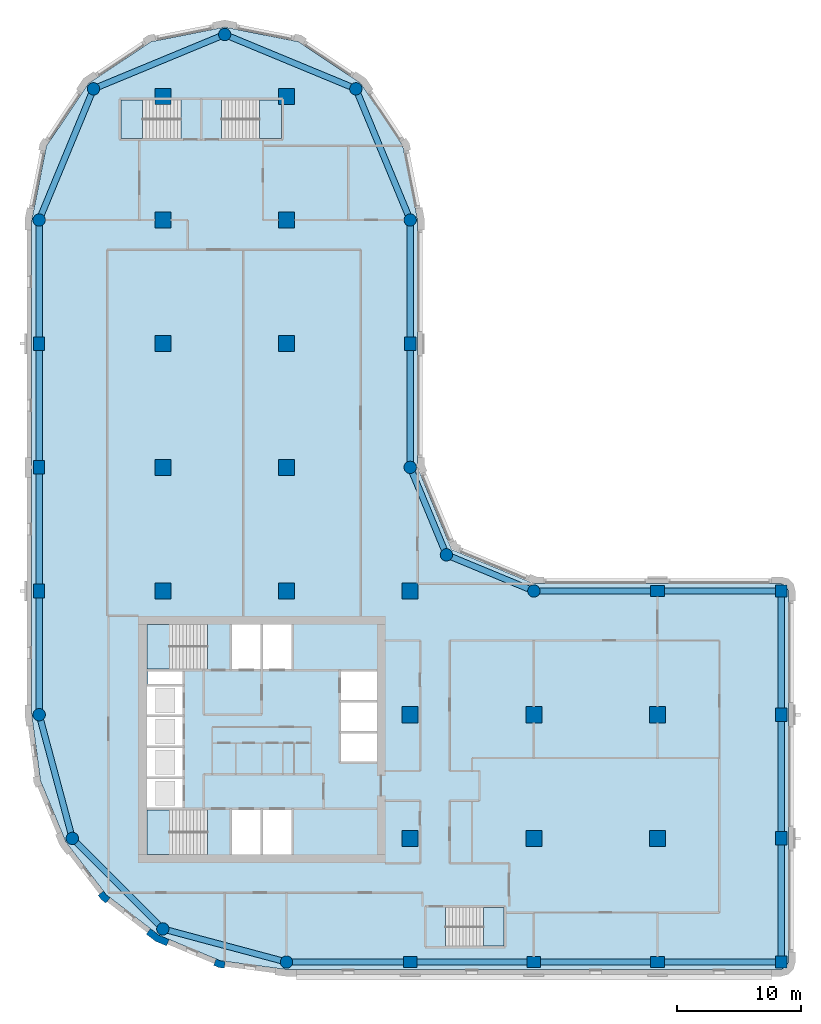
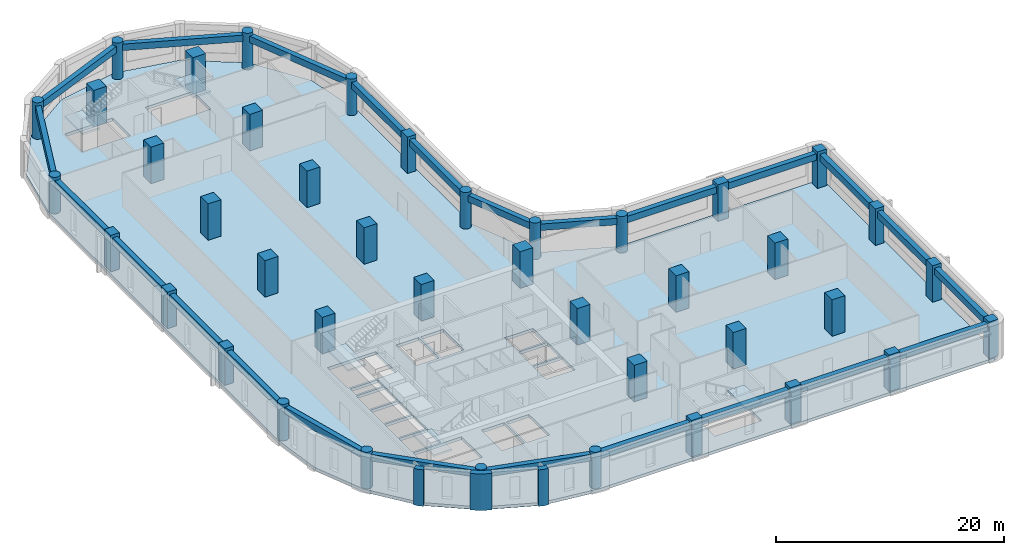
# One storey, part 1 of 9: 41 columns, 24 beams, 6 slabs, 3 walls, 5 elements without a shape of their own.
"""IFC4 building model written with IfcOpenShell, lengths in metres."""

import ifcopenshell
import ifcopenshell.guid

model = None  # the IFC model being written
_history = None  # IfcOwnerHistory: only IFC2X3 demands one
_inside = {}  # id of a spatial element -> (the spatial element, [elements in it])
_under = {}  # id of a project, library or spatial element -> (it, [spatial elements below it])
_declared = {}  # id of a project -> (the project, [libraries it declares])
_typed = {}  # id of a type object -> (the type object, [elements of that type])
_made_of = {}  # id of a material, layer set ... -> (it, [elements and type objects made of it])


def new_model(schema):
    """Start an empty IFC model of exactly this schema.

    Asked for "IFC4X3", IfcOpenShell would pick the latest addendum, in which some entities
    have other attributes; the version numbers below select the first issue.
    IFC2X3 requires an IfcOwnerHistory on every rooted entity: one is made here for all.
    """
    global model, _history
    if schema == "IFC4X3":
        model = ifcopenshell.file(schema_version=(4, 3, 0, 0))
    else:
        model = ifcopenshell.file(schema=schema)
    _inside.clear()
    _under.clear()
    _declared.clear()
    _typed.clear()
    _made_of.clear()
    _history = None
    if model.schema == "IFC2X3":
        org = make("IfcOrganization", Name="unknown")
        user = make(
            "IfcPersonAndOrganization",
            ThePerson=make("IfcPerson", FamilyName="unknown"),
            TheOrganization=org,
        )
        app = make(
            "IfcApplication",
            ApplicationDeveloper=org,
            Version="unknown",
            ApplicationFullName="unknown",
            ApplicationIdentifier="unknown",
        )
        _history = make(
            "IfcOwnerHistory",
            OwningUser=user,
            OwningApplication=app,
            ChangeAction="ADDED",
            CreationDate=0,
        )
    return model


def make(cls, **values):
    """One entity of the class cls with the attributes given. An attribute that is None is left unset."""
    return model.create_entity(
        cls, **{name: value for name, value in values.items() if value is not None}
    )


def rooted(cls, **values):
    """An entity with a GlobalId (a new one), such as an element, a storey or a relation."""
    return make(cls, GlobalId=ifcopenshell.guid.new(), OwnerHistory=_history, **values)


def si_unit(unit_type, name, prefix=None):
    """IfcSIUnit, for example si_unit("LENGTHUNIT", "METRE", prefix="MILLI")."""
    return make("IfcSIUnit", UnitType=unit_type, Prefix=prefix, Name=name)


def assignment(units):
    """IfcUnitAssignment: the units of a project."""
    return None if units is None else make("IfcUnitAssignment", Units=units)


def point(xyz):
    """IfcCartesianPoint."""
    return None if xyz is None else make("IfcCartesianPoint", Coordinates=xyz)


def direction(xyz):
    """IfcDirection."""
    return None if xyz is None else make("IfcDirection", DirectionRatios=xyz)


def frame(location, z_axis=None, x_axis=None):
    """IfcAxis2Placement3D, a coordinate frame: its origin and axes. An axis left out is left unset."""
    return make(
        "IfcAxis2Placement3D",
        Location=point(location),
        Axis=direction(z_axis),
        RefDirection=direction(x_axis),
    )


def frame_2d(location, x_axis=None):
    """IfcAxis2Placement2D, a coordinate frame in the plane: its origin and x axis."""
    return make(
        "IfcAxis2Placement2D", Location=point(location), RefDirection=direction(x_axis)
    )


def origin():
    """The frame at (0, 0, 0) with its axes left unset."""
    return frame((0.0, 0.0, 0.0))


def origin_2d():
    """The frame at (0, 0) in the plane with its x axis left unset."""
    return frame_2d((0.0, 0.0))


def place(relative_to, where):
    """IfcLocalPlacement: puts the frame where relative to a parent placement (None: the world)."""
    return make(
        "IfcLocalPlacement", PlacementRelTo=relative_to, RelativePlacement=where
    )


def context(
    kind, dimensions, precision=None, world=None, true_north=None, identifier=None
):
    """IfcGeometricRepresentationContext, for example the 3D "Model" context."""
    return make(
        "IfcGeometricRepresentationContext",
        ContextIdentifier=identifier,
        ContextType=kind,
        CoordinateSpaceDimension=dimensions,
        Precision=precision,
        WorldCoordinateSystem=world,
        TrueNorth=true_north,
    )


def subcontext(parent, identifier, kind, view, scale=None):
    """IfcGeometricRepresentationSubContext, for example "Body" below "Model"."""
    return make(
        "IfcGeometricRepresentationSubContext",
        ContextIdentifier=identifier,
        ContextType=kind,
        ParentContext=parent,
        TargetScale=scale,
        TargetView=view,
    )


def project(units=None, contexts=None):
    """IfcProject with its units and contexts."""
    return rooted(
        "IfcProject",
        Name="project",
        RepresentationContexts=contexts,
        UnitsInContext=assignment(units),
    )


def spatial(cls, under=None, at=None, **own):
    """A site, building, storey or space (cls), placed at a placement, below another one or the project."""
    s = rooted(cls, ObjectPlacement=at, **own)
    if under is not None:
        _under.setdefault(under.id(), (under, []))[1].append(s)
    return s


def polyline(points):
    """IfcPolyline through the points."""
    return make("IfcPolyline", Points=[point(p) for p in points])


def profile(cls, at=None, kind="AREA", **sizes):
    """A parametric profile (cls). Its sizes go by their IFC names, for example OverallWidth=200.0."""
    return make(cls, ProfileType=kind, Position=at, **sizes)


def rectangle(**sizes):
    """IfcRectangleProfileDef."""
    return profile("IfcRectangleProfileDef", **sizes)


def circle(**sizes):
    """IfcCircleProfileDef."""
    return profile("IfcCircleProfileDef", **sizes)


def outline(outer, holes=None, kind="AREA"):
    """IfcArbitraryClosedProfileDef: a profile drawn as a closed curve; with holes, ...WithVoids."""
    if holes is None:
        return make("IfcArbitraryClosedProfileDef", ProfileType=kind, OuterCurve=outer)
    return make(
        "IfcArbitraryProfileDefWithVoids",
        ProfileType=kind,
        OuterCurve=outer,
        InnerCurves=holes,
    )


def extrude(swept, where, along, depth):
    """IfcExtrudedAreaSolid: the profile swept, set in the frame where, extruded along a direction by depth."""
    return make(
        "IfcExtrudedAreaSolid",
        SweptArea=swept,
        Position=where,
        ExtrudedDirection=direction(along),
        Depth=depth,
    )


def shape(context_of_items, identifier, shape_type, items):
    """IfcShapeRepresentation: the items that make up one representation, for example the "Body"."""
    return make(
        "IfcShapeRepresentation",
        ContextOfItems=context_of_items,
        RepresentationIdentifier=identifier,
        RepresentationType=shape_type,
        Items=items,
    )


def material(Name=None, Category=None):
    """IfcMaterial."""
    return make("IfcMaterial", Name=Name, Category=Category)


def layer(
    of_material, thickness, ventilated=None, Name=None, Category=None, Priority=None
):
    """IfcMaterialLayer: one layer of a wall or slab, of a material (None: an air gap)."""
    return make(
        "IfcMaterialLayer",
        Material=of_material,
        LayerThickness=thickness,
        IsVentilated=ventilated,
        Name=Name,
        Category=Category,
        Priority=Priority,
    )


def layer_set(layers, Name=None):
    """IfcMaterialLayerSet."""
    return make("IfcMaterialLayerSet", MaterialLayers=layers, LayerSetName=Name)


def material_profile(
    of_material, cross_section, Name=None, Category=None, Priority=None
):
    """IfcMaterialProfile: a cross section and its material."""
    return make(
        "IfcMaterialProfile",
        Name=Name,
        Material=of_material,
        Profile=cross_section,
        Priority=Priority,
        Category=Category,
    )


def profile_set(profiles, Name=None, composite=None):
    """IfcMaterialProfileSet."""
    return make(
        "IfcMaterialProfileSet",
        Name=Name,
        MaterialProfiles=profiles,
        CompositeProfile=composite,
    )


def made_of(thing, what):
    """Note that an element or type object is made of a material, layer set ...; save() writes the relation."""
    if what is not None:
        _made_of.setdefault(what.id(), (what, []))[1].append(thing)
    return thing


def type_object(cls, material=None, **own):
    """A type object (cls), such as IfcWallType, which elements share."""
    return made_of(rooted(cls, **own), material)


def element(
    cls,
    number,
    at=None,
    inside=None,
    cuts=None,
    type_object=None,
    material=None,
    context=None,
    identifier="Body",
    shape_type=None,
    held_by="IfcProductDefinitionShape",
    body=None,
    shapes=None,
    **own,
):
    """One element of the class cls, such as IfcWall. Its Tag is "e" and its number.

    at: its placement. inside: the storey or other place that contains it. cuts: it is an
    opening in that element (IfcRelVoidsElement). A single representation is given by context,
    identifier, shape_type and body (its items); several are given by shapes. held_by: the class
    of the entity that holds the representations. save() writes the other relations.
    """
    e = rooted(cls, Tag="e%d" % number, ObjectPlacement=at, **own)
    if body is not None:
        shapes = [shape(context, identifier, shape_type, body)]
    if shapes is not None:
        e.Representation = make(held_by, Representations=shapes)
    if inside is not None:
        _inside.setdefault(inside.id(), (inside, []))[1].append(e)
    if cuts is not None:
        rooted(
            "IfcRelVoidsElement", RelatingBuildingElement=cuts, RelatedOpeningElement=e
        )
    if type_object is not None:
        _typed.setdefault(type_object.id(), (type_object, []))[1].append(e)
    return made_of(e, material)


def aggregate(whole, parts):
    """IfcRelAggregates: a whole, such as a stair, and the parts it consists of."""
    return rooted("IfcRelAggregates", RelatingObject=whole, RelatedObjects=parts)


def save(model, path):
    """Write the relations noted so far, then the file.

    IfcRelAggregates (storeys below a building ...), IfcRelContainedInSpatialStructure (elements
    in a storey), IfcRelDefinesByType, IfcRelAssociatesMaterial and IfcRelDeclares: one each for
    every whole, place, type object, material and project.
    """
    for whole, parts in _under.values():
        aggregate(whole, parts)
    for where, things in _inside.values():
        rooted(
            "IfcRelContainedInSpatialStructure",
            RelatedElements=things,
            RelatingStructure=where,
        )
    for kind, things in _typed.values():
        rooted("IfcRelDefinesByType", RelatedObjects=things, RelatingType=kind)
    for what, things in _made_of.values():
        rooted("IfcRelAssociatesMaterial", RelatedObjects=things, RelatingMaterial=what)
    for by, libraries in _declared.values():
        rooted("IfcRelDeclares", RelatingContext=by, RelatedDefinitions=libraries)
    model.write(path)


model = new_model("IFC4")

# Units and contexts
model_context = context("Model", 3, precision=1e-05, world=origin(), true_north=direction((0.0, 1.0)))
body_context = subcontext(model_context, "Body", "Model", "MODEL_VIEW")
ifc_project = project(units=[si_unit("LENGTHUNIT", "METRE"), si_unit("AREAUNIT", "SQUARE_METRE"), si_unit("VOLUMEUNIT", "CUBIC_METRE"), si_unit("PLANEANGLEUNIT", "RADIAN"), si_unit("MASSUNIT", "GRAM", prefix="KILO")], contexts=[model_context])

# Site, building, storey
site_placement = place(None, origin())
site = spatial("IfcSite", under=ifc_project, at=site_placement, CompositionType="ELEMENT")
building_placement = place(site_placement, origin())
building = spatial("IfcBuilding", under=site, at=building_placement, Name="Qaws Garden Tower", CompositionType="ELEMENT")
storey_placement = place(building_placement, frame((0.0, 0.0, 147.300048828125)))
storey = spatial("IfcBuildingStorey", under=building, at=storey_placement, Name="L35", CompositionType="ELEMENT", Elevation=147.300048828125)

# Columns
ifc_material_1 = material(Name="Concrete C70", Category="concrete")
ifc_material_profile_1 = material_profile(ifc_material_1, rectangle(XDim=1.10009765625, YDim=0.89990234375, at=origin_2d()), Name="RC 1100x900")
ifc_profile_set_1 = profile_set([ifc_material_profile_1], Name="Concrete C70")
column_type_1 = type_object("IfcColumnType", Name="Column RC 1100x900 C70", PredefinedType="COLUMN", material=ifc_profile_set_1)
for number, where, z_axis, x_axis, name in (
    (1, (30.0, 0.0, 0.0), (0.0, 0.0, 1.0), (1.0, 0.0, 0.0), "Column L35-002"),
    (2, (40.0, 0.0, 0.0), (0.0, 0.0, 1.0), (1.0, 0.0, 0.0), "Column L35-003"),
    (3, (50.0, 0.0, 0.0), (0.0, 0.0, 1.0), (1.0, 0.0, 0.0), "Column L35-004"),
    (4, (60.0, 10.0, 0.0), (0.0, 0.0, 1.0), (0.0, 1.0, 0.0), "Column L35-006"),
    (5, (60.0, 20.0, 0.0), (0.0, 0.0, 1.0), (0.0, 1.0, 0.0), "Column L35-007"),
    (6, (50.0, 30.0, 0.0), (0.0, 0.0, 1.0), (1.0, 0.0, 0.0), "Column L35-009"),
    (7, (30.0, 50.0, 0.0), (0.0, 0.0, 1.0), (0.0, 1.0, 0.0), "Column L35-013"),
    (8, (0.0, 50.0, 0.0), (0.0, 0.0, 1.0), (0.0, 1.0, 0.0), "Column L35-019"),
    (9, (0.0, 40.0, 0.0), (0.0, 0.0, 1.0), (0.0, 1.0, 0.0), "Column L35-020"),
    (10, (0.0, 30.0, 0.0), (0.0, 0.0, 1.0), (0.0, 1.0, 0.0), "Column L35-021"),
):
    element("IfcColumn", number, at=place(storey_placement, frame(where, z_axis=z_axis, x_axis=x_axis)), inside=storey, type_object=column_type_1, Name=name, PredefinedType="COLUMN", context=body_context, shape_type="SweptSolid", body=[
        extrude(rectangle(XDim=1.10009765625, YDim=0.89990234375, at=origin_2d()), origin(), (0.0, 0.0, 1.0), 3.89990234375),
    ])
ifc_material_2 = material(Name="Concrete C70", Category="concrete")
ifc_material_profile_2 = material_profile(ifc_material_2, rectangle(XDim=1.300048828125, YDim=1.300048828125, at=origin_2d()), Name="RC 1300x1300")
ifc_profile_set_2 = profile_set([ifc_material_profile_2], Name="Concrete C70")
column_type_2 = type_object("IfcColumnType", Name="Column RC 1300x1300 C70", PredefinedType="COLUMN", material=ifc_profile_set_2)
for number, where, z_axis, x_axis, name in (
    (11, (10.0, 30.0, 0.0), (0.0, 0.0, 1.0), (1.0, 0.0, 0.0), "Column L35-025"),
    (12, (10.0, 40.0, 0.0), (0.0, 0.0, 1.0), (1.0, 0.0, 0.0), "Column L35-026"),
    (13, (10.0, 50.0, 0.0), (0.0, 0.0, 1.0), (1.0, 0.0, 0.0), "Column L35-027"),
    (14, (10.0, 60.0, 0.0), (0.0, 0.0, 1.0), (1.0, 0.0, 0.0), "Column L35-028"),
    (15, (10.0, 70.0, 0.0), (0.0, 0.0, 1.0), (1.0, 0.0, 0.0), "Column L35-029"),
    (16, (20.0, 30.0, 0.0), (0.0, 0.0, 1.0), (1.0, 0.0, 0.0), "Column L35-030"),
    (17, (20.0, 40.0, 0.0), (0.0, 0.0, 1.0), (1.0, 0.0, 0.0), "Column L35-031"),
    (18, (20.0, 50.0, 0.0), (0.0, 0.0, 1.0), (1.0, 0.0, 0.0), "Column L35-032"),
    (19, (20.0, 60.0, 0.0), (0.0, 0.0, 1.0), (1.0, 0.0, 0.0), "Column L35-033"),
    (20, (20.0, 70.0, 0.0), (0.0, 0.0, 1.0), (1.0, 0.0, 0.0), "Column L35-034"),
    (21, (30.0, 10.0, 0.0), (0.0, 0.0, 1.0), (1.0, 0.0, 0.0), "Column L35-035"),
    (22, (30.0, 20.0, 0.0), (0.0, 0.0, 1.0), (1.0, 0.0, 0.0), "Column L35-036"),
    (23, (30.0, 30.0, 0.0), (0.0, 0.0, 1.0), (1.0, 0.0, 0.0), "Column L35-037"),
    (24, (40.0, 10.0, 0.0), (0.0, 0.0, 1.0), (1.0, 0.0, 0.0), "Column L35-038"),
    (25, (40.0, 20.0, 0.0), (0.0, 0.0, 1.0), (1.0, 0.0, 0.0), "Column L35-039"),
    (26, (50.0, 10.0, 0.0), (0.0, 0.0, 1.0), (1.0, 0.0, 0.0), "Column L35-040"),
    (27, (50.0, 20.0, 0.0), (0.0, 0.0, 1.0), (1.0, 0.0, 0.0), "Column L35-041"),
):
    element("IfcColumn", number, at=place(storey_placement, frame(where, z_axis=z_axis, x_axis=x_axis)), inside=storey, type_object=column_type_2, Name=name, PredefinedType="COLUMN", context=body_context, shape_type="SweptSolid", body=[
        extrude(rectangle(XDim=1.300048828125, YDim=1.300048828125, at=origin_2d()), origin(), (0.0, 0.0, 1.0), 3.89990234375),
    ])
ifc_material_3 = material(Name="Concrete C70", Category="concrete")
ifc_material_profile_3 = material_profile(ifc_material_3, rectangle(XDim=0.949951171875, YDim=0.949951171875, at=origin_2d()), Name="RC 950x950")
ifc_profile_set_3 = profile_set([ifc_material_profile_3], Name="Concrete C70")
column_type_3 = type_object("IfcColumnType", Name="Column RC 950x950 C70", PredefinedType="COLUMN", material=ifc_profile_set_3)
for number, where, z_axis, x_axis, name in (
    (28, (60.0, 0.0, 0.0), (0.0, 0.0, 1.0), (1.0, 0.0, 0.0), "Column L35-005"),
    (29, (60.0, 30.0, 0.0), (0.0, 0.0, 1.0), (1.0, 0.0, 0.0), "Column L35-008"),
):
    element("IfcColumn", number, at=place(storey_placement, frame(where, z_axis=z_axis, x_axis=x_axis)), inside=storey, type_object=column_type_3, Name=name, PredefinedType="COLUMN", context=body_context, shape_type="SweptSolid", body=[
        extrude(rectangle(XDim=0.949951171875, YDim=0.949951171875, at=origin_2d()), origin(), (0.0, 0.0, 1.0), 3.89990234375),
    ])
ifc_material_4 = material(Name="Concrete C70", Category="concrete")
ifc_material_profile_4 = material_profile(ifc_material_4, circle(Radius=0.5, at=origin_2d()), Name="RC D1000")
ifc_profile_set_4 = profile_set([ifc_material_profile_4], Name="Concrete C70")
column_type_4 = type_object("IfcColumnType", Name="Column RC D1000 C70", PredefinedType="COLUMN", material=ifc_profile_set_4)
for number, where, z_axis, x_axis, name in (
    (30, (20.0, 0.0, 0.0), (0.0, 0.0, 1.0), (1.0, 0.0, 0.0), "Column L35-001"),
    (31, (40.0, 30.0, 0.0), (0.0, 0.0, 1.0), (1.0, 0.0, 0.0), "Column L35-010"),
    (32, (32.928955078125, 32.928955078125, 0.0), (0.0, 0.0, 1.0), (1.0, 0.0, 0.0), "Column L35-011"),
    (33, (30.0, 40.0, 0.0), (0.0, 0.0, 1.0), (1.0, 0.0, 0.0), "Column L35-012"),
    (34, (30.0, 60.0, 0.0), (0.0, 0.0, 1.0), (1.0, 0.0, 0.0), "Column L35-014"),
    (35, (25.606689453125, 70.606689453125, 0.0), (0.0, 0.0, 1.0), (1.0, 0.0, 0.0), "Column L35-015"),
    (36, (15.0, 75.0, 0.0), (0.0, 0.0, 1.0), (1.0, 0.0, 0.0), "Column L35-016"),
    (37, (4.393310546875, 70.606689453125, 0.0), (0.0, 0.0, 1.0), (1.0, 0.0, 0.0), "Column L35-017"),
    (38, (0.0, 60.0, 0.0), (0.0, 0.0, 1.0), (1.0, 0.0, 0.0), "Column L35-018"),
    (39, (0.0, 20.0, 0.0), (0.0, 0.0, 1.0), (1.0, 0.0, 0.0), "Column L35-022"),
    (40, (2.679443359375, 10.0, 0.0), (0.0, 0.0, 1.0), (1.0, 0.0, 0.0), "Column L35-023"),
    (41, (10.0, 2.679443359375, 0.0), (0.0, 0.0, 1.0), (1.0, 0.0, 0.0), "Column L35-024"),
):
    element("IfcColumn", number, at=place(storey_placement, frame(where, z_axis=z_axis, x_axis=x_axis)), inside=storey, type_object=column_type_4, Name=name, PredefinedType="COLUMN", context=body_context, shape_type="SweptSolid", body=[
        extrude(circle(Radius=0.5, at=origin_2d()), origin(), (0.0, 0.0, 1.0), 3.89990234375),
    ])

# Beams
ifc_material_5 = material(Name="Concrete C45", Category="concrete")
ifc_material_profile_5 = material_profile(ifc_material_5, rectangle(XDim=0.5, YDim=0.699951171875, at=origin_2d()), Name="RC 500x700")
ifc_profile_set_5 = profile_set([ifc_material_profile_5], Name="Concrete C45")
beam_type = type_object("IfcBeamType", Name="Spandrel beam RC 500x700 C45", PredefinedType="SPANDREL", material=ifc_profile_set_5)
for number, where, z_axis, x_axis, name in (
    (42, (20.0, 0.0, 3.22998046875), (1.0, 0.0, 0.0), (0.0, 1.0, 0.0), "Spandrel beam L35-001"),
    (43, (30.0, 0.0, 3.22998046875), (1.0, 0.0, 0.0), (0.0, 1.0, 0.0), "Spandrel beam L35-002"),
    (44, (40.0, 0.0, 3.22998046875), (1.0, 0.0, 0.0), (0.0, 1.0, 0.0), "Spandrel beam L35-003"),
    (45, (50.0, 0.0, 3.22998046875), (1.0, 0.0, 0.0), (0.0, 1.0, 0.0), "Spandrel beam L35-004"),
    (46, (60.0, 0.0, 3.22998046875), (0.0, 1.0, 0.0), (-1.0, 0.0, 0.0), "Spandrel beam L35-005"),
    (47, (60.0, 10.0, 3.22998046875), (0.0, 1.0, 0.0), (-1.0, 0.0, 0.0), "Spandrel beam L35-006"),
    (48, (60.0, 20.0, 3.22998046875), (0.0, 1.0, 0.0), (-1.0, 0.0, 0.0), "Spandrel beam L35-007"),
    (49, (60.0, 30.0, 3.22998046875), (-1.0, 0.0, 0.0), (0.0, -1.0, 0.0), "Spandrel beam L35-008"),
    (50, (50.0, 30.0, 3.22998046875), (-1.0, 0.0, 0.0), (0.0, -1.0, 0.0), "Spandrel beam L35-009"),
):
    element("IfcBeam", number, at=place(storey_placement, frame(where, z_axis=z_axis, x_axis=x_axis)), inside=storey, type_object=beam_type, Name=name, PredefinedType="SPANDREL", context=body_context, shape_type="SweptSolid", body=[
        extrude(rectangle(XDim=0.5, YDim=0.699951171875, at=origin_2d()), origin(), (0.0, 0.0, 1.0), 10.0),
    ])
for number, where, z_axis, x_axis, name in (
    (51, (40.0, 30.0, 3.22998046875), (-0.923878037141, 0.382687042488, 0.0), (-0.382687042488, -0.923878037141, 0.0), "Spandrel beam L35-010"),
    (52, (32.928955078125, 32.928955078125, 3.22998046875), (-0.382687042488, 0.923878037141, 0.0), (-0.923878037141, -0.382687042488, 0.0), "Spandrel beam L35-011"),
):
    element("IfcBeam", number, at=place(storey_placement, frame(where, z_axis=z_axis, x_axis=x_axis)), inside=storey, type_object=beam_type, Name=name, PredefinedType="SPANDREL", context=body_context, shape_type="SweptSolid", body=[
        extrude(rectangle(XDim=0.5, YDim=0.699951171875, at=origin_2d()), origin(), (0.0, 0.0, 1.0), 7.653564453125),
    ])
for number, where, z_axis, x_axis, name in (
    (53, (30.0, 40.0, 3.22998046875), (0.0, 1.0, 0.0), (-1.0, 0.0, 0.0), "Spandrel beam L35-012"),
    (54, (30.0, 50.0, 3.22998046875), (0.0, 1.0, 0.0), (-1.0, 0.0, 0.0), "Spandrel beam L35-013"),
):
    element("IfcBeam", number, at=place(storey_placement, frame(where, z_axis=z_axis, x_axis=x_axis)), inside=storey, type_object=beam_type, Name=name, PredefinedType="SPANDREL", context=body_context, shape_type="SweptSolid", body=[
        extrude(rectangle(XDim=0.5, YDim=0.699951171875, at=origin_2d()), origin(), (0.0, 0.0, 1.0), 10.0),
    ])
for number, where, z_axis, x_axis, name in (
    (55, (30.0, 60.0, 3.22998046875), (-0.382674207535, 0.923883353507, 0.0), (-0.923883353507, -0.382674207535, 0.0), "Spandrel beam L35-014"),
    (56, (25.606689453125, 70.606689453125, 3.22998046875), (-0.923883353507, 0.382674207535, 0.0), (-0.382674207535, -0.923883353507, 0.0), "Spandrel beam L35-015"),
    (57, (15.0, 75.0, 3.22998046875), (-0.923883353507, -0.382674207535, 0.0), (0.382674207535, -0.923883353507, 0.0), "Spandrel beam L35-016"),
    (58, (4.393310546875, 70.606689453125, 3.22998046875), (-0.382674207535, -0.923883353507, 0.0), (0.923883353507, -0.382674207535, 0.0), "Spandrel beam L35-017"),
):
    element("IfcBeam", number, at=place(storey_placement, frame(where, z_axis=z_axis, x_axis=x_axis)), inside=storey, type_object=beam_type, Name=name, PredefinedType="SPANDREL", context=body_context, shape_type="SweptSolid", body=[
        extrude(rectangle(XDim=0.5, YDim=0.699951171875, at=origin_2d()), origin(), (0.0, 0.0, 1.0), 11.48046875),
    ])
for number, where, z_axis, x_axis, name in (
    (59, (0.0, 60.0, 3.22998046875), (0.0, -1.0, 0.0), (1.0, 0.0, 0.0), "Spandrel beam L35-018"),
    (60, (0.0, 50.0, 3.22998046875), (0.0, -1.0, 0.0), (1.0, 0.0, 0.0), "Spandrel beam L35-019"),
    (61, (0.0, 40.0, 3.22998046875), (0.0, -1.0, 0.0), (1.0, 0.0, 0.0), "Spandrel beam L35-020"),
    (62, (0.0, 30.0, 3.22998046875), (0.0, -1.0, 0.0), (1.0, 0.0, 0.0), "Spandrel beam L35-021"),
):
    element("IfcBeam", number, at=place(storey_placement, frame(where, z_axis=z_axis, x_axis=x_axis)), inside=storey, type_object=beam_type, Name=name, PredefinedType="SPANDREL", context=body_context, shape_type="SweptSolid", body=[
        extrude(rectangle(XDim=0.5, YDim=0.699951171875, at=origin_2d()), origin(), (0.0, 0.0, 1.0), 10.0),
    ])
for number, where, z_axis, x_axis, name in (
    (63, (0.0, 20.0, 3.22998046875), (0.25881466832, -0.965926999034, 0.0), (0.965926999034, 0.25881466832, 0.0), "Spandrel beam L35-022"),
    (64, (2.679443359375, 10.0, 3.22998046875), (0.707106781187, -0.707106781187, 0.0), (0.707106781187, 0.707106781187, 0.0), "Spandrel beam L35-023"),
    (65, (10.0, 2.679443359375, 3.22998046875), (0.965926999034, -0.25881466832, 0.0), (0.25881466832, 0.965926999034, 0.0), "Spandrel beam L35-024"),
):
    element("IfcBeam", number, at=place(storey_placement, frame(where, z_axis=z_axis, x_axis=x_axis)), inside=storey, type_object=beam_type, Name=name, PredefinedType="SPANDREL", context=body_context, shape_type="SweptSolid", body=[
        extrude(rectangle(XDim=0.5, YDim=0.699951171875, at=origin_2d()), origin(), (0.0, 0.0, 1.0), 10.352783203125),
    ])

# Slab
ifc_material_6 = material(Name="Concrete C40", Category="concrete")
ifc_layer_1 = layer(ifc_material_6, 0.320068359375)
ifc_layer_set_1 = layer_set([ifc_layer_1], Name="Concrete C40")
slab_type_1 = type_object("IfcSlabType", Name="Floor slab 320 C40", PredefinedType="FLOOR", material=ifc_layer_set_1)
slab_1_placement = place(storey_placement, frame((0.0, 0.0, -0.320068359375)))
element("IfcSlab", 66, at=slab_1_placement, inside=storey, type_object=slab_type_1, Name="Floor slab L35", PredefinedType="FLOOR", context=body_context, shape_type="SweptSolid", body=[
    extrude(outline(polyline([(0.101806640625, 14.668212890625), (-0.60009765625, 20.0), (-0.60009765625, 30.60009765625), (-0.60009765625, 60.0), (-0.60009765625, 60.0), (0.58740234375, 65.969970703125), (3.968994140625, 71.031005859375), (9.030029296875, 74.41259765625), (15.0, 75.60009765625), (20.969970703125, 74.41259765625), (26.031005859375, 71.031005859375), (29.41259765625, 65.969970703125), (30.60009765625, 60.0), (30.60009765625, 40.0), (33.353271484375, 33.353271484375), (40.0, 30.60009765625), (60.0, 30.60009765625), (60.42431640625, 30.42431640625), (60.60009765625, 30.0), (60.60009765625, 0.0), (60.42431640625, -0.42431640625), (60.0, -0.60009765625), (30.60009765625, -0.60009765625), (20.0, -0.60009765625), (14.668212890625, 0.101806640625), (9.699951171875, 2.159912109375), (5.43359375, 5.43359375), (2.159912109375, 9.699951171875), (0.101806640625, 14.668212890625)]), holes=[polyline([(13.599609375, 12.300048828125), (8.699951171875, 12.300048828125), (8.699951171875, 8.699951171875), (13.599609375, 8.699951171875), (13.599609375, 12.300048828125)]), polyline([(17.89990234375, 12.300048828125), (15.60009765625, 12.300048828125), (15.60009765625, 8.699951171875), (17.89990234375, 8.699951171875), (17.89990234375, 12.300048828125)]), polyline([(11.60009765625, 14.800048828125), (8.699951171875, 14.800048828125), (8.699951171875, 12.5), (11.60009765625, 12.5), (11.60009765625, 14.800048828125)]), polyline([(11.60009765625, 17.300048828125), (8.699951171875, 17.300048828125), (8.699951171875, 15.0), (11.60009765625, 15.0), (11.60009765625, 17.300048828125)]), polyline([(11.60009765625, 19.800048828125), (8.699951171875, 19.800048828125), (8.699951171875, 17.5), (11.60009765625, 17.5), (11.60009765625, 19.800048828125)]), polyline([(11.60009765625, 22.300048828125), (8.699951171875, 22.300048828125), (8.699951171875, 20.0), (11.60009765625, 20.0), (11.60009765625, 22.300048828125)]), polyline([(11.60009765625, 23.5), (8.800048828125, 23.5), (8.800048828125, 22.5), (11.60009765625, 22.5), (11.60009765625, 23.5)]), polyline([(13.599609375, 27.300048828125), (8.699951171875, 27.300048828125), (8.699951171875, 23.699951171875), (13.599609375, 23.699951171875), (13.599609375, 27.300048828125)]), polyline([(11.449462890625, 69.699951171875), (6.60009765625, 69.699951171875), (6.60009765625, 66.60009765625), (11.449462890625, 66.60009765625), (11.449462890625, 69.699951171875)]), polyline([(37.60009765625, 4.39990234375), (32.8505859375, 4.39990234375), (32.8505859375, 1.300048828125), (37.60009765625, 1.300048828125), (37.60009765625, 4.39990234375)]), polyline([(20.39990234375, 12.300048828125), (18.10009765625, 12.300048828125), (18.10009765625, 8.699951171875), (20.39990234375, 8.699951171875), (20.39990234375, 12.300048828125)]), polyline([(27.300048828125, 18.5), (24.39990234375, 18.5), (24.39990234375, 16.199951171875), (27.300048828125, 16.199951171875), (27.300048828125, 18.5)]), polyline([(27.300048828125, 21.0), (24.39990234375, 21.0), (24.39990234375, 18.699951171875), (27.300048828125, 18.699951171875), (27.300048828125, 21.0)]), polyline([(27.300048828125, 23.5), (24.39990234375, 23.5), (24.39990234375, 21.199951171875), (27.300048828125, 21.199951171875), (27.300048828125, 23.5)]), polyline([(17.89990234375, 27.300048828125), (15.60009765625, 27.300048828125), (15.60009765625, 23.699951171875), (17.89990234375, 23.699951171875), (17.89990234375, 27.300048828125)]), polyline([(20.39990234375, 23.699951171875), (20.39990234375, 27.300048828125), (18.10009765625, 27.300048828125), (18.10009765625, 23.699951171875), (20.39990234375, 23.699951171875)]), polyline([(19.60009765625, 66.60009765625), (19.60009765625, 69.699951171875), (14.75048828125, 69.699951171875), (14.75048828125, 66.60009765625), (19.60009765625, 66.60009765625)])]), origin(), (0.0, 0.0, 1.0), 0.320068359375),
])

# Stair, slab
ifc_material_7 = material(Name="Concrete C40", Category="concrete")
stair_type_1 = type_object("IfcStairType", Name="Exit stair 1500", PredefinedType="HALF_TURN_STAIR", material=ifc_material_7)
placement_1 = place(storey_placement, origin())
stair_1 = element("IfcStair", 67, at=placement_1, inside=storey, type_object=stair_type_1, Name="Stair 1", PredefinedType="HALF_TURN_STAIR")
ifc_material_8 = material(Name="Concrete C40", Category="concrete")
ifc_layer_2 = layer(ifc_material_8, 0.199951171875)
ifc_layer_set_2 = layer_set([ifc_layer_2], Name="Concrete C40")
slab_type_2 = type_object("IfcSlabType", Name="Stair landing 200", PredefinedType="LANDING", material=ifc_layer_set_2)
placement_2 = place(storey_placement, frame((0.0, 0.0, 1.75)))
slab_2 = element("IfcSlab", 68, at=placement_2, type_object=slab_type_2, Name="ST1 landing 1", PredefinedType="LANDING", context=body_context, shape_type="SweptSolid", body=[
    extrude(outline(polyline([(8.699951171875, 8.699951171875), (10.52001953125, 8.699951171875), (10.52001953125, 12.300048828125), (8.699951171875, 12.300048828125), (8.699951171875, 8.699951171875)])), origin(), (0.0, 0.0, 1.0), 0.199951171875),
])
aggregate(stair_1, [slab_2])

stair_2 = element("IfcStair", 69, at=placement_1, inside=storey, type_object=stair_type_1, Name="Stair 4", PredefinedType="HALF_TURN_STAIR")
slab_3 = element("IfcSlab", 70, at=placement_2, type_object=slab_type_2, Name="ST4 landing 1", PredefinedType="LANDING", context=body_context, shape_type="SweptSolid", body=[
    extrude(outline(polyline([(8.699951171875, 23.699951171875), (10.52001953125, 23.699951171875), (10.52001953125, 27.300048828125), (8.699951171875, 27.300048828125), (8.699951171875, 23.699951171875)])), origin(), (0.0, 0.0, 1.0), 0.199951171875),
])
aggregate(stair_2, [slab_3])

ifc_material_9 = material(Name="Concrete C40", Category="concrete")
stair_type_2 = type_object("IfcStairType", Name="Exit stair 1350", PredefinedType="HALF_TURN_STAIR", material=ifc_material_9)
stair_3 = element("IfcStair", 71, at=placement_1, inside=storey, type_object=stair_type_2, Name="Stair 5", PredefinedType="HALF_TURN_STAIR")
slab_4 = element("IfcSlab", 72, at=placement_2, type_object=slab_type_2, Name="ST5 landing 1", PredefinedType="LANDING", context=body_context, shape_type="SweptSolid", body=[
    extrude(outline(polyline([(35.929931640625, 1.300048828125), (37.60009765625, 1.300048828125), (37.60009765625, 4.39990234375), (35.929931640625, 4.39990234375), (35.929931640625, 1.300048828125)])), origin(), (0.0, 0.0, 1.0), 0.199951171875),
])
aggregate(stair_3, [slab_4])

stair_4 = element("IfcStair", 73, at=placement_1, inside=storey, type_object=stair_type_2, Name="Stair 6", PredefinedType="HALF_TURN_STAIR")
slab_5 = element("IfcSlab", 74, at=placement_2, type_object=slab_type_2, Name="ST6 landing 1", PredefinedType="LANDING", context=body_context, shape_type="SweptSolid", body=[
    extrude(outline(polyline([(6.60009765625, 66.60009765625), (8.3701171875, 66.60009765625), (8.3701171875, 69.699951171875), (6.60009765625, 69.699951171875), (6.60009765625, 66.60009765625)])), origin(), (0.0, 0.0, 1.0), 0.199951171875),
])
aggregate(stair_4, [slab_5])

stair_5 = element("IfcStair", 75, at=placement_1, inside=storey, type_object=stair_type_2, Name="Stair 7", PredefinedType="HALF_TURN_STAIR")
slab_6 = element("IfcSlab", 76, at=placement_2, type_object=slab_type_2, Name="ST7 landing 1", PredefinedType="LANDING", context=body_context, shape_type="SweptSolid", body=[
    extrude(outline(polyline([(17.830078125, 66.60009765625), (19.60009765625, 66.60009765625), (19.60009765625, 69.699951171875), (17.830078125, 69.699951171875), (17.830078125, 66.60009765625)])), origin(), (0.0, 0.0, 1.0), 0.199951171875),
])
aggregate(stair_5, [slab_6])

# Walls
ifc_material_10 = material(Name="Clay facing brick masonry", Category="masonry")
ifc_layer_3 = layer(ifc_material_10, 0.550048828125)
ifc_layer_set_3 = layer_set([ifc_layer_3], Name="Clay facing brick masonry")
wall_type_1 = type_object("IfcWallType", Name="Brick kink pier 550 x 600", PredefinedType="SOLIDWALL", material=ifc_layer_set_3)
element("IfcWall", 77, at=placement_1, inside=storey, type_object=wall_type_1, Name="E-L35-pier-28", PredefinedType="SOLIDWALL", context=body_context, shape_type="SweptSolid", body=[
    extrude(outline(polyline([(4.8818359375, 5.487060546875), (4.762939453125, 5.395751953125), (5.03759765625, 5.03759765625), (5.395751953125, 4.762939453125), (5.487060546875, 4.8818359375), (5.730712890625, 5.19921875), (5.429931640625, 5.429931640625), (5.19921875, 5.730712890625), (4.8818359375, 5.487060546875)])), origin(), (0.0, 0.0, 1.0), 3.89990234375),
])
element("IfcWall", 78, at=placement_1, inside=storey, type_object=wall_type_1, Name="E-L35-pier-30", PredefinedType="SOLIDWALL", context=body_context, shape_type="SweptSolid", body=[
    extrude(outline(polyline([(14.163818359375, -0.127685546875), (14.1064453125, -0.26611328125), (14.5234375, -0.43896484375), (14.970947265625, -0.497802734375), (14.990478515625, -0.34912109375), (15.042724609375, 0.04736328125), (14.6669921875, 0.096923828125), (14.31689453125, 0.241943359375), (14.163818359375, -0.127685546875)])), origin(), (0.0, 0.0, 1.0), 3.89990234375),
])
ifc_material_11 = material(Name="Clay facing brick masonry", Category="masonry")
ifc_layer_4 = layer(ifc_material_11, 0.550048828125)
ifc_layer_set_4 = layer_set([ifc_layer_4], Name="Clay facing brick masonry")
wall_type_2 = type_object("IfcWallType", Name="Brick pier 550 x 1600", PredefinedType="SOLIDWALL", material=ifc_layer_set_4)
element("IfcWall", 79, at=placement_1, inside=storey, type_object=wall_type_2, Name="E-L35-pier-29", PredefinedType="SOLIDWALL", context=body_context, shape_type="SweptSolid", body=[
    extrude(outline(polyline([(8.756591796875, 2.373046875), (8.665283203125, 2.254150390625), (9.419921875, 1.675048828125), (10.299072265625, 1.310791015625), (10.3564453125, 1.449462890625), (10.509521484375, 1.819091796875), (9.697509765625, 2.1552734375), (9.0, 2.6904296875), (8.756591796875, 2.373046875)])), origin(), (0.0, 0.0, 1.0), 3.89990234375),
])

save(model, "model.ifc")
